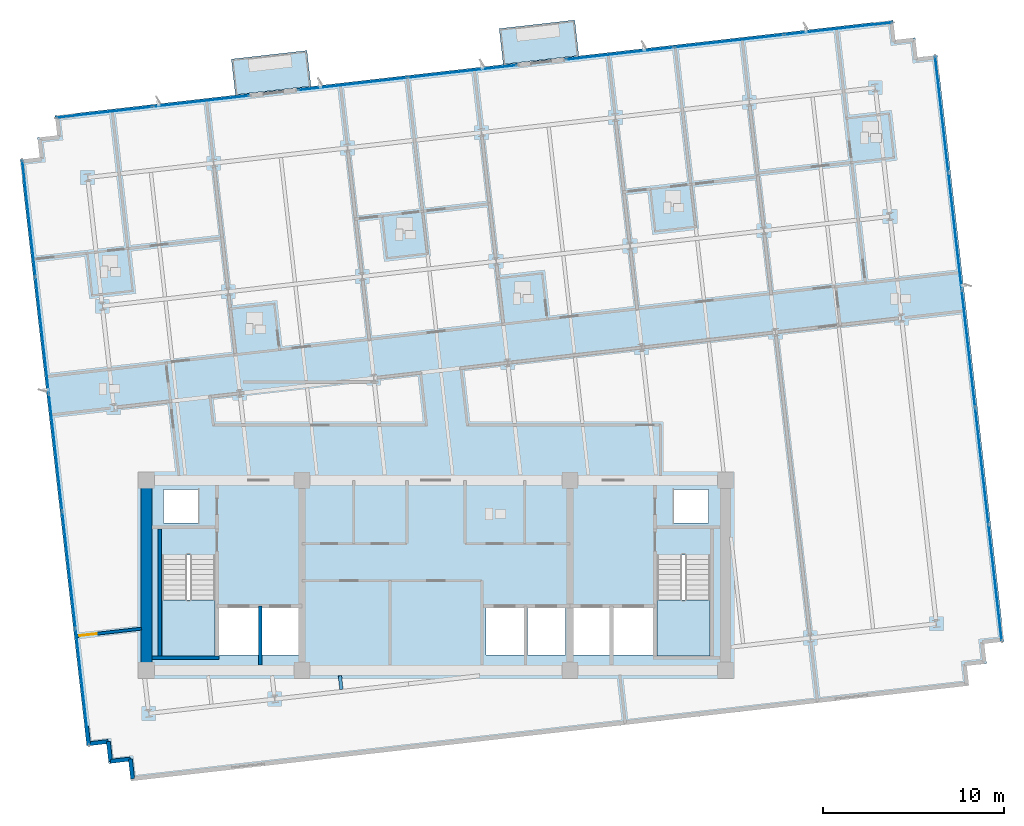
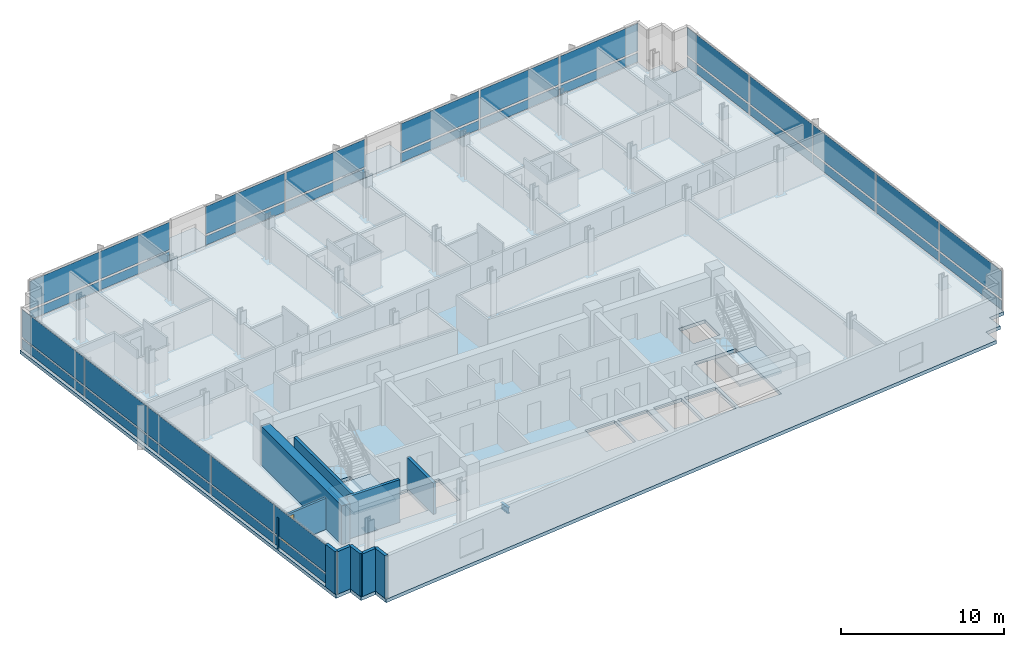
# One storey, part 7 of 17: 34 plates, 10 walls, 5 slabs, 1 beam, 1 door, 1 opening, 7 elements without a shape of their own.
"""IFC4 building model written with IfcOpenShell, lengths in metres."""

from ifc_helpers import new_model, si_unit, direction, frame, frame_2d, origin, origin_2d, place, context, subcontext, project, spatial, polyline, rectangle, i_section, outline, extrude, material, layer, layer_set, material_profile, profile_set, type_object, element, fill, aggregate, save


model = new_model("IFC4")

# Units and contexts
model_context = context("Model", 3, precision=1e-05, world=origin(), true_north=direction((0.0, 1.0)))
body_context = subcontext(model_context, "Body", "Model", "MODEL_VIEW")
ifc_project = project(units=[si_unit("LENGTHUNIT", "METRE"), si_unit("AREAUNIT", "SQUARE_METRE"), si_unit("VOLUMEUNIT", "CUBIC_METRE"), si_unit("PLANEANGLEUNIT", "RADIAN"), si_unit("MASSUNIT", "GRAM", prefix="KILO")], contexts=[model_context])

# Site, building, storey
site_placement = place(None, origin())
site = spatial("IfcSite", under=ifc_project, at=site_placement, CompositionType="ELEMENT")
building_placement = place(site_placement, origin())
building = spatial("IfcBuilding", under=site, at=building_placement, Name="Solmavex Isthmus Hotel", CompositionType="ELEMENT")
storey_placement = place(building_placement, frame((0.0, 0.0, 195.14990234375)))
storey = spatial("IfcBuildingStorey", under=building, at=storey_placement, Name="L52", CompositionType="ELEMENT", Elevation=195.14990234375)

# Beam
ifc_material_1 = material(Name="Steel ASTM A992 Grade 50", Category="steel")
ifc_material_profile = material_profile(ifc_material_1, i_section(OverallWidth=0.1904296875, OverallDepth=0.456787109375, WebThickness=0.009033203125, FlangeThickness=0.014404296875, FilletRadius=0.0126953125, at=origin_2d()), Name="W18X50")
ifc_profile_set = profile_set([ifc_material_profile], Name="Steel ASTM A992 Grade 50")
beam_type = type_object("IfcBeamType", Name="BM-BJ-W18X50", PredefinedType="JOIST", material=ifc_profile_set)
beam_placement = place(storey_placement, frame((-5.2236328125, -14.05419921875, -0.48828125), z_axis=(-0.112902470797, 0.993606074905, 0.0), x_axis=(-0.993606074905, -0.112902470797, 0.0)))
element("IfcBeam", 1, at=beam_placement, inside=storey, type_object=beam_type, Name="Secondary Floor Joist L52-J05", PredefinedType="JOIST", context=body_context, shape_type="SweptSolid", body=[
    extrude(i_section(OverallWidth=0.1904296875, OverallDepth=0.456787109375, WebThickness=0.009033203125, FlangeThickness=0.014404296875, FilletRadius=0.0126953125, at=origin_2d()), origin(), (0.0, 0.0, 1.0), 0.759033203125),
])

# Curtain wall, plates
ifc_material_2 = material(Name="Aluminium alloy 6063-T6", Category="aluminium")
curtain_wall_type = type_object("IfcCurtainWallType", Name="CW-SYS-04", PredefinedType="NOTDEFINED", material=ifc_material_2)
curtain_wall_1_placement = place(storey_placement, origin())
curtain_wall_1 = element("IfcCurtainWall", 2, at=curtain_wall_1_placement, inside=storey, type_object=curtain_wall_type, Name="Stick Curtain Wall CWL-L52-N1", PredefinedType="NOTDEFINED")
ifc_material_3 = material(Name="Clear low-E laminated glass", Category="glass")
ifc_layer_1 = layer(ifc_material_3, 0.033935546875)
ifc_layer_set_1 = layer_set([ifc_layer_1], Name="Clear low-E laminated glass")
plate_type = type_object("IfcPlateType", Name="CW-SYS-04-PNL", PredefinedType="CURTAIN_PANEL", material=ifc_layer_set_1)
plate_1_placement = place(storey_placement, frame((-18.322021484375, 17.832763671875, 0.14990234375), z_axis=(0.0, 0.0, 1.0), x_axis=(0.993571901125, 0.113202814871, 0.0)))
plate_1 = element("IfcPlate", 3, at=plate_1_placement, type_object=plate_type, Name="CW-04 panel 1.1", PredefinedType="CURTAIN_PANEL", context=body_context, shape_type="SweptSolid", body=[
    extrude(rectangle(XDim=5.302978515625, YDim=0.033935546875, at=origin_2d()), origin(), (0.0, 0.0, 1.0), 0.675048828125),
])
plate_2_placement = place(storey_placement, frame((-18.322021484375, 17.832763671875, 0.97509765625), z_axis=(0.0, 0.0, 1.0), x_axis=(0.993571901125, 0.113202814871, 0.0)))
plate_2 = element("IfcPlate", 4, at=plate_2_placement, type_object=plate_type, Name="CW-04 panel 1.2", PredefinedType="CURTAIN_PANEL", context=body_context, shape_type="SweptSolid", body=[
    extrude(rectangle(XDim=5.302978515625, YDim=0.033935546875, at=origin_2d()), origin(), (0.0, 0.0, 1.0), 2.06494140625),
])
plate_3_placement = place(storey_placement, frame((-12.978515625, 18.441650390625, 0.14990234375), z_axis=(0.0, 0.0, 1.0), x_axis=(0.993571901125, 0.113202814871, 0.0)))
plate_3 = element("IfcPlate", 5, at=plate_3_placement, type_object=plate_type, Name="CW-04 panel 2.1", PredefinedType="CURTAIN_PANEL", context=body_context, shape_type="SweptSolid", body=[
    extrude(rectangle(XDim=5.302978515625, YDim=0.033935546875, at=origin_2d()), origin(), (0.0, 0.0, 1.0), 0.675048828125),
])
plate_4_placement = place(storey_placement, frame((-12.978515625, 18.441650390625, 0.97509765625), z_axis=(0.0, 0.0, 1.0), x_axis=(0.993571901125, 0.113202814871, 0.0)))
plate_4 = element("IfcPlate", 6, at=plate_4_placement, type_object=plate_type, Name="CW-04 panel 2.2", PredefinedType="CURTAIN_PANEL", context=body_context, shape_type="SweptSolid", body=[
    extrude(rectangle(XDim=5.302978515625, YDim=0.033935546875, at=origin_2d()), origin(), (0.0, 0.0, 1.0), 2.06494140625),
])
aggregate(curtain_wall_1, [plate_1, plate_2, plate_3, plate_4])

curtain_wall_2_placement = place(storey_placement, origin())
curtain_wall_2 = element("IfcCurtainWall", 7, at=curtain_wall_2_placement, inside=storey, type_object=curtain_wall_type, Name="Stick Curtain Wall CWL-L52-N2", PredefinedType="NOTDEFINED")
plate_5_placement = place(storey_placement, frame((-4.6142578125, 19.39453125, 0.14990234375), z_axis=(0.0, 0.0, 1.0), x_axis=(0.993571896348, 0.113202856801, 0.0)))
plate_5 = element("IfcPlate", 8, at=plate_5_placement, type_object=plate_type, Name="CW-04 panel 1.1", PredefinedType="CURTAIN_PANEL", context=body_context, shape_type="SweptSolid", body=[
    extrude(rectangle(XDim=6.033447265625, YDim=0.033935546875, at=origin_2d()), origin(), (0.0, 0.0, 1.0), 0.675048828125),
])
plate_6_placement = place(storey_placement, frame((-4.6142578125, 19.39453125, 0.97509765625), z_axis=(0.0, 0.0, 1.0), x_axis=(0.993571896348, 0.113202856801, 0.0)))
plate_6 = element("IfcPlate", 9, at=plate_6_placement, type_object=plate_type, Name="CW-04 panel 1.2", PredefinedType="CURTAIN_PANEL", context=body_context, shape_type="SweptSolid", body=[
    extrude(rectangle(XDim=6.033447265625, YDim=0.033935546875, at=origin_2d()), origin(), (0.0, 0.0, 1.0), 2.06494140625),
])
plate_7_placement = place(storey_placement, frame((1.454833984375, 20.086181640625, 0.14990234375), z_axis=(0.0, 0.0, 1.0), x_axis=(0.993571896348, 0.113202856801, 0.0)))
plate_7 = element("IfcPlate", 10, at=plate_7_placement, type_object=plate_type, Name="CW-04 panel 2.1", PredefinedType="CURTAIN_PANEL", context=body_context, shape_type="SweptSolid", body=[
    extrude(rectangle(XDim=6.033447265625, YDim=0.033935546875, at=origin_2d()), origin(), (0.0, 0.0, 1.0), 0.675048828125),
])
plate_8_placement = place(storey_placement, frame((1.454833984375, 20.086181640625, 0.97509765625), z_axis=(0.0, 0.0, 1.0), x_axis=(0.993571896348, 0.113202856801, 0.0)))
plate_8 = element("IfcPlate", 11, at=plate_8_placement, type_object=plate_type, Name="CW-04 panel 2.2", PredefinedType="CURTAIN_PANEL", context=body_context, shape_type="SweptSolid", body=[
    extrude(rectangle(XDim=6.033447265625, YDim=0.033935546875, at=origin_2d()), origin(), (0.0, 0.0, 1.0), 2.06494140625),
])
aggregate(curtain_wall_2, [plate_5, plate_6, plate_7, plate_8])

curtain_wall_3_placement = place(storey_placement, origin())
curtain_wall_3 = element("IfcCurtainWall", 12, at=curtain_wall_3_placement, inside=storey, type_object=curtain_wall_type, Name="Stick Curtain Wall CWL-L52-N3", PredefinedType="NOTDEFINED")
plate_9_placement = place(storey_placement, frame((10.1552734375, 21.077392578125, 0.14990234375), z_axis=(0.0, 0.0, 1.0), x_axis=(0.99357182379, 0.113203493636, 0.0)))
plate_9 = element("IfcPlate", 13, at=plate_9_placement, type_object=plate_type, Name="CW-04 panel 1.1", PredefinedType="CURTAIN_PANEL", context=body_context, shape_type="SweptSolid", body=[
    extrude(rectangle(XDim=5.979736328125, YDim=0.033935546875, at=origin_2d()), origin(), (0.0, 0.0, 1.0), 0.675048828125),
])
plate_10_placement = place(storey_placement, frame((10.1552734375, 21.077392578125, 0.97509765625), z_axis=(0.0, 0.0, 1.0), x_axis=(0.99357182379, 0.113203493636, 0.0)))
plate_10 = element("IfcPlate", 14, at=plate_10_placement, type_object=plate_type, Name="CW-04 panel 1.2", PredefinedType="CURTAIN_PANEL", context=body_context, shape_type="SweptSolid", body=[
    extrude(rectangle(XDim=5.979736328125, YDim=0.033935546875, at=origin_2d()), origin(), (0.0, 0.0, 1.0), 2.06494140625),
])
plate_11_placement = place(storey_placement, frame((16.189697265625, 21.764892578125, 0.14990234375), z_axis=(0.0, 0.0, 1.0), x_axis=(0.99357182379, 0.113203493636, 0.0)))
plate_11 = element("IfcPlate", 15, at=plate_11_placement, type_object=plate_type, Name="CW-04 panel 2.1", PredefinedType="CURTAIN_PANEL", context=body_context, shape_type="SweptSolid", body=[
    extrude(rectangle(XDim=6.017333984375, YDim=0.033935546875, at=origin_2d()), origin(), (0.0, 0.0, 1.0), 0.675048828125),
])
plate_12_placement = place(storey_placement, frame((16.189697265625, 21.764892578125, 0.97509765625), z_axis=(0.0, 0.0, 1.0), x_axis=(0.99357182379, 0.113203493636, 0.0)))
plate_12 = element("IfcPlate", 16, at=plate_12_placement, type_object=plate_type, Name="CW-04 panel 2.2", PredefinedType="CURTAIN_PANEL", context=body_context, shape_type="SweptSolid", body=[
    extrude(rectangle(XDim=6.017333984375, YDim=0.033935546875, at=origin_2d()), origin(), (0.0, 0.0, 1.0), 2.06494140625),
])
plate_13_placement = place(storey_placement, frame((22.224365234375, 22.45263671875, 0.14990234375), z_axis=(0.0, 0.0, 1.0), x_axis=(0.99357182379, 0.113203493636, 0.0)))
plate_13 = element("IfcPlate", 17, at=plate_13_placement, type_object=plate_type, Name="CW-04 panel 3.1", PredefinedType="CURTAIN_PANEL", context=body_context, shape_type="SweptSolid", body=[
    extrude(rectangle(XDim=5.979736328125, YDim=0.033935546875, at=origin_2d()), origin(), (0.0, 0.0, 1.0), 0.675048828125),
])
plate_14_placement = place(storey_placement, frame((22.224365234375, 22.45263671875, 0.97509765625), z_axis=(0.0, 0.0, 1.0), x_axis=(0.99357182379, 0.113203493636, 0.0)))
plate_14 = element("IfcPlate", 18, at=plate_14_placement, type_object=plate_type, Name="CW-04 panel 3.2", PredefinedType="CURTAIN_PANEL", context=body_context, shape_type="SweptSolid", body=[
    extrude(rectangle(XDim=5.979736328125, YDim=0.033935546875, at=origin_2d()), origin(), (0.0, 0.0, 1.0), 2.06494140625),
])
aggregate(curtain_wall_3, [plate_9, plate_10, plate_11, plate_12, plate_13, plate_14])

curtain_wall_4_placement = place(storey_placement, origin())
curtain_wall_4 = element("IfcCurtainWall", 19, at=curtain_wall_4_placement, inside=storey, type_object=curtain_wall_type, Name="Stick Curtain Wall CWL-L52-W1", PredefinedType="NOTDEFINED")
plate_15_placement = place(storey_placement, frame((-19.542724609375, -13.91064453125, 0.14990234375), z_axis=(0.0, 0.0, 1.0), x_axis=(-0.11320338078, 0.993571836648, 0.0)))
plate_15 = element("IfcPlate", 20, at=plate_15_placement, type_object=plate_type, Name="CW-04 panel 1.1", PredefinedType="CURTAIN_PANEL", context=body_context, shape_type="SweptSolid", body=[
    extrude(rectangle(XDim=6.407470703125, YDim=0.033935546875, at=origin_2d()), origin(), (0.0, 0.0, 1.0), 0.675048828125),
])
plate_16_placement = place(storey_placement, frame((-19.542724609375, -13.91064453125, 0.97509765625), z_axis=(0.0, 0.0, 1.0), x_axis=(-0.11320338078, 0.993571836648, 0.0)))
plate_16 = element("IfcPlate", 21, at=plate_16_placement, type_object=plate_type, Name="CW-04 panel 1.2", PredefinedType="CURTAIN_PANEL", context=body_context, shape_type="SweptSolid", body=[
    extrude(rectangle(XDim=6.407470703125, YDim=0.033935546875, at=origin_2d()), origin(), (0.0, 0.0, 1.0), 2.06494140625),
])
plate_17_placement = place(storey_placement, frame((-20.27880859375, -7.451171875, 0.14990234375), z_axis=(0.0, 0.0, 1.0), x_axis=(-0.11320338078, 0.993571836648, 0.0)))
plate_17 = element("IfcPlate", 22, at=plate_17_placement, type_object=plate_type, Name="CW-04 panel 2.1", PredefinedType="CURTAIN_PANEL", context=body_context, shape_type="SweptSolid", body=[
    extrude(rectangle(XDim=6.445068359375, YDim=0.033935546875, at=origin_2d()), origin(), (0.0, 0.0, 1.0), 0.675048828125),
])
plate_18_placement = place(storey_placement, frame((-20.27880859375, -7.451171875, 0.97509765625), z_axis=(0.0, 0.0, 1.0), x_axis=(-0.11320338078, 0.993571836648, 0.0)))
plate_18 = element("IfcPlate", 23, at=plate_18_placement, type_object=plate_type, Name="CW-04 panel 2.2", PredefinedType="CURTAIN_PANEL", context=body_context, shape_type="SweptSolid", body=[
    extrude(rectangle(XDim=6.445068359375, YDim=0.033935546875, at=origin_2d()), origin(), (0.0, 0.0, 1.0), 2.06494140625),
])
plate_19_placement = place(storey_placement, frame((-21.016845703125, -0.97314453125, 0.14990234375), z_axis=(0.0, 0.0, 1.0), x_axis=(-0.11320338078, 0.993571836648, 0.0)))
plate_19 = element("IfcPlate", 24, at=plate_19_placement, type_object=plate_type, Name="CW-04 panel 3.1", PredefinedType="CURTAIN_PANEL", context=body_context, shape_type="SweptSolid", body=[
    extrude(rectangle(XDim=6.445068359375, YDim=0.033935546875, at=origin_2d()), origin(), (0.0, 0.0, 1.0), 0.675048828125),
])
plate_20_placement = place(storey_placement, frame((-21.016845703125, -0.97314453125, 0.97509765625), z_axis=(0.0, 0.0, 1.0), x_axis=(-0.11320338078, 0.993571836648, 0.0)))
plate_20 = element("IfcPlate", 25, at=plate_20_placement, type_object=plate_type, Name="CW-04 panel 3.2", PredefinedType="CURTAIN_PANEL", context=body_context, shape_type="SweptSolid", body=[
    extrude(rectangle(XDim=6.445068359375, YDim=0.033935546875, at=origin_2d()), origin(), (0.0, 0.0, 1.0), 2.06494140625),
])
plate_21_placement = place(storey_placement, frame((-21.7548828125, 5.5048828125, 0.14990234375), z_axis=(0.0, 0.0, 1.0), x_axis=(-0.11320338078, 0.993571836648, 0.0)))
plate_21 = element("IfcPlate", 26, at=plate_21_placement, type_object=plate_type, Name="CW-04 panel 4.1", PredefinedType="CURTAIN_PANEL", context=body_context, shape_type="SweptSolid", body=[
    extrude(rectangle(XDim=6.445068359375, YDim=0.033935546875, at=origin_2d()), origin(), (0.0, 0.0, 1.0), 0.675048828125),
])
plate_22_placement = place(storey_placement, frame((-21.7548828125, 5.5048828125, 0.97509765625), z_axis=(0.0, 0.0, 1.0), x_axis=(-0.11320338078, 0.993571836648, 0.0)))
plate_22 = element("IfcPlate", 27, at=plate_22_placement, type_object=plate_type, Name="CW-04 panel 4.2", PredefinedType="CURTAIN_PANEL", context=body_context, shape_type="SweptSolid", body=[
    extrude(rectangle(XDim=6.445068359375, YDim=0.033935546875, at=origin_2d()), origin(), (0.0, 0.0, 1.0), 2.06494140625),
])
plate_23_placement = place(storey_placement, frame((-22.490966796875, 11.96435546875, 0.14990234375), z_axis=(0.0, 0.0, 1.0), x_axis=(-0.11320338078, 0.993571836648, 0.0)))
plate_23 = element("IfcPlate", 28, at=plate_23_placement, type_object=plate_type, Name="CW-04 panel 5.1", PredefinedType="CURTAIN_PANEL", context=body_context, shape_type="SweptSolid", body=[
    extrude(rectangle(XDim=6.407470703125, YDim=0.033935546875, at=origin_2d()), origin(), (0.0, 0.0, 1.0), 0.675048828125),
])
plate_24_placement = place(storey_placement, frame((-22.490966796875, 11.96435546875, 0.97509765625), z_axis=(0.0, 0.0, 1.0), x_axis=(-0.11320338078, 0.993571836648, 0.0)))
plate_24 = element("IfcPlate", 29, at=plate_24_placement, type_object=plate_type, Name="CW-04 panel 5.2", PredefinedType="CURTAIN_PANEL", context=body_context, shape_type="SweptSolid", body=[
    extrude(rectangle(XDim=6.407470703125, YDim=0.033935546875, at=origin_2d()), origin(), (0.0, 0.0, 1.0), 2.06494140625),
])
aggregate(curtain_wall_4, [plate_15, plate_16, plate_17, plate_18, plate_19, plate_20, plate_21, plate_22, plate_23, plate_24])

curtain_wall_5_placement = place(storey_placement, origin())
curtain_wall_5 = element("IfcCurtainWall", 30, at=curtain_wall_5_placement, inside=storey, type_object=curtain_wall_type, Name="Stick Curtain Wall CWL-L52-E1", PredefinedType="NOTDEFINED")
plate_25_placement = place(storey_placement, frame((30.890869140625, -8.16455078125, 0.14990234375), z_axis=(0.0, 0.0, 1.0), x_axis=(-0.11320338078, 0.993571836648, 0.0)))
plate_25 = element("IfcPlate", 31, at=plate_25_placement, type_object=plate_type, Name="CW-04 panel 1.1", PredefinedType="CURTAIN_PANEL", context=body_context, shape_type="SweptSolid", body=[
    extrude(rectangle(XDim=6.407470703125, YDim=0.033935546875, at=origin_2d()), origin(), (0.0, 0.0, 1.0), 0.675048828125),
])
plate_26_placement = place(storey_placement, frame((30.890869140625, -8.16455078125, 0.97509765625), z_axis=(0.0, 0.0, 1.0), x_axis=(-0.11320338078, 0.993571836648, 0.0)))
plate_26 = element("IfcPlate", 32, at=plate_26_placement, type_object=plate_type, Name="CW-04 panel 1.2", PredefinedType="CURTAIN_PANEL", context=body_context, shape_type="SweptSolid", body=[
    extrude(rectangle(XDim=6.407470703125, YDim=0.033935546875, at=origin_2d()), origin(), (0.0, 0.0, 1.0), 2.06494140625),
])
plate_27_placement = place(storey_placement, frame((30.155029296875, -1.705078125, 0.14990234375), z_axis=(0.0, 0.0, 1.0), x_axis=(-0.11320338078, 0.993571836648, 0.0)))
plate_27 = element("IfcPlate", 33, at=plate_27_placement, type_object=plate_type, Name="CW-04 panel 2.1", PredefinedType="CURTAIN_PANEL", context=body_context, shape_type="SweptSolid", body=[
    extrude(rectangle(XDim=6.445068359375, YDim=0.033935546875, at=origin_2d()), origin(), (0.0, 0.0, 1.0), 0.675048828125),
])
plate_28_placement = place(storey_placement, frame((30.155029296875, -1.705078125, 0.97509765625), z_axis=(0.0, 0.0, 1.0), x_axis=(-0.11320338078, 0.993571836648, 0.0)))
plate_28 = element("IfcPlate", 34, at=plate_28_placement, type_object=plate_type, Name="CW-04 panel 2.2", PredefinedType="CURTAIN_PANEL", context=body_context, shape_type="SweptSolid", body=[
    extrude(rectangle(XDim=6.445068359375, YDim=0.033935546875, at=origin_2d()), origin(), (0.0, 0.0, 1.0), 2.06494140625),
])
plate_29_placement = place(storey_placement, frame((29.416748046875, 4.773193359375, 0.14990234375), z_axis=(0.0, 0.0, 1.0), x_axis=(-0.11320338078, 0.993571836648, 0.0)))
plate_29 = element("IfcPlate", 35, at=plate_29_placement, type_object=plate_type, Name="CW-04 panel 3.1", PredefinedType="CURTAIN_PANEL", context=body_context, shape_type="SweptSolid", body=[
    extrude(rectangle(XDim=6.445068359375, YDim=0.033935546875, at=origin_2d()), origin(), (0.0, 0.0, 1.0), 0.675048828125),
])
plate_30_placement = place(storey_placement, frame((29.416748046875, 4.773193359375, 0.97509765625), z_axis=(0.0, 0.0, 1.0), x_axis=(-0.11320338078, 0.993571836648, 0.0)))
plate_30 = element("IfcPlate", 36, at=plate_30_placement, type_object=plate_type, Name="CW-04 panel 3.2", PredefinedType="CURTAIN_PANEL", context=body_context, shape_type="SweptSolid", body=[
    extrude(rectangle(XDim=6.445068359375, YDim=0.033935546875, at=origin_2d()), origin(), (0.0, 0.0, 1.0), 2.06494140625),
])
plate_31_placement = place(storey_placement, frame((28.6787109375, 11.251220703125, 0.14990234375), z_axis=(0.0, 0.0, 1.0), x_axis=(-0.11320338078, 0.993571836648, 0.0)))
plate_31 = element("IfcPlate", 37, at=plate_31_placement, type_object=plate_type, Name="CW-04 panel 4.1", PredefinedType="CURTAIN_PANEL", context=body_context, shape_type="SweptSolid", body=[
    extrude(rectangle(XDim=6.445068359375, YDim=0.033935546875, at=origin_2d()), origin(), (0.0, 0.0, 1.0), 0.675048828125),
])
plate_32_placement = place(storey_placement, frame((28.6787109375, 11.251220703125, 0.97509765625), z_axis=(0.0, 0.0, 1.0), x_axis=(-0.11320338078, 0.993571836648, 0.0)))
plate_32 = element("IfcPlate", 38, at=plate_32_placement, type_object=plate_type, Name="CW-04 panel 4.2", PredefinedType="CURTAIN_PANEL", context=body_context, shape_type="SweptSolid", body=[
    extrude(rectangle(XDim=6.445068359375, YDim=0.033935546875, at=origin_2d()), origin(), (0.0, 0.0, 1.0), 2.06494140625),
])
plate_33_placement = place(storey_placement, frame((27.94287109375, 17.710693359375, 0.14990234375), z_axis=(0.0, 0.0, 1.0), x_axis=(-0.11320338078, 0.993571836648, 0.0)))
plate_33 = element("IfcPlate", 39, at=plate_33_placement, type_object=plate_type, Name="CW-04 panel 5.1", PredefinedType="CURTAIN_PANEL", context=body_context, shape_type="SweptSolid", body=[
    extrude(rectangle(XDim=6.407470703125, YDim=0.033935546875, at=origin_2d()), origin(), (0.0, 0.0, 1.0), 0.675048828125),
])
plate_34_placement = place(storey_placement, frame((27.94287109375, 17.710693359375, 0.97509765625), z_axis=(0.0, 0.0, 1.0), x_axis=(-0.11320338078, 0.993571836648, 0.0)))
plate_34 = element("IfcPlate", 40, at=plate_34_placement, type_object=plate_type, Name="CW-04 panel 5.2", PredefinedType="CURTAIN_PANEL", context=body_context, shape_type="SweptSolid", body=[
    extrude(rectangle(XDim=6.407470703125, YDim=0.033935546875, at=origin_2d()), origin(), (0.0, 0.0, 1.0), 2.06494140625),
])
aggregate(curtain_wall_5, [plate_25, plate_26, plate_27, plate_28, plate_29, plate_30, plate_31, plate_32, plate_33, plate_34])

# Slabs
ifc_material_4 = material(Name="Concrete C40/50", Category="concrete")
ifc_layer_2 = layer(ifc_material_4, 0.239990234375)
ifc_layer_set_2 = layer_set([ifc_layer_2], Name="Concrete C40/50")
slab_type_1 = type_object("IfcSlabType", Name="SLAB-BALC-240", PredefinedType="FLOOR", material=ifc_layer_set_2)
slab_1_placement = place(storey_placement, frame((0.0, 0.0, -0.239990234375)))
element("IfcSlab", 41, at=slab_1_placement, inside=storey, type_object=slab_type_1, Name="Tree-Planter Balcony Slab L52-B1", PredefinedType="FLOOR", context=body_context, shape_type="SweptSolid", body=[
    extrude(outline(polyline([(-11.07958984375, 18.7939453125), (-6.90673828125, 19.269287109375), (-7.13134765625, 21.24169921875), (-11.304443359375, 20.76611328125), (-11.07958984375, 18.7939453125)])), origin(), (0.0, 0.0, 1.0), 0.239990234375),
])
slab_2_placement = place(storey_placement, frame((0.0, 0.0, -0.239990234375)))
element("IfcSlab", 42, at=slab_2_placement, inside=storey, type_object=slab_type_1, Name="Tree-Planter Balcony Slab L52-B2", PredefinedType="FLOOR", context=body_context, shape_type="SweptSolid", body=[
    extrude(outline(polyline([(3.716552734375, 20.479736328125), (7.8896484375, 20.955078125), (7.664794921875, 22.927490234375), (3.491943359375, 22.451904296875), (3.716552734375, 20.479736328125)])), origin(), (0.0, 0.0, 1.0), 0.239990234375),
])
ifc_layer_3 = layer(ifc_material_4, 0.260009765625)
ifc_layer_set_3 = layer_set([ifc_layer_3], Name="Concrete C40/50")
slab_type_2 = type_object("IfcSlabType", Name="SLAB-TYP-260", PredefinedType="FLOOR", material=ifc_layer_set_3)
slab_3_placement = place(storey_placement, frame((0.0, 0.0, -0.260009765625)))
element("IfcSlab", 43, at=slab_3_placement, inside=storey, type_object=slab_type_2, Name="Tower Structural Floor Slab L52", PredefinedType="FLOOR", context=body_context, shape_type="SweptSolid", body=[
    extrude(outline(polyline([(-15.762939453125, -18.994140625), (28.3515625, -13.968017578125), (29.444580078125, -13.843505859375), (29.320068359375, -12.75048828125), (30.412841796875, -12.6259765625), (30.288330078125, -11.532958984375), (31.38134765625, -11.408447265625), (31.2568359375, -10.315673828125), (27.8154296875, 19.888916015625), (27.69091796875, 20.98193359375), (26.597900390625, 20.857421875), (26.473388671875, 21.9501953125), (25.38037109375, 21.82568359375), (25.255859375, 22.918701171875), (24.1630859375, 22.794189453125), (-19.95166015625, 17.76806640625), (-21.04443359375, 17.6435546875), (-20.919921875, 16.550537109375), (-22.012939453125, 16.426025390625), (-21.888427734375, 15.3330078125), (-22.981201171875, 15.20849609375), (-22.856689453125, 14.11572265625), (-19.415283203125, -16.0888671875), (-19.290771484375, -17.181884765625), (-18.197998046875, -17.057373046875), (-18.073486328125, -18.150390625), (-16.98046875, -18.02587890625), (-16.85595703125, -19.11865234375), (-15.762939453125, -18.994140625)]), holes=[polyline([(-15.14990234375, -6.617919921875), (-15.14990234375, -12.199951171875), (-12.199951171875, -12.199951171875), (-12.199951171875, -6.617919921875), (-15.14990234375, -6.617919921875)]), polyline([(12.199951171875, -6.617919921875), (12.199951171875, -12.199951171875), (15.14990234375, -12.199951171875), (15.14990234375, -6.617919921875), (12.199951171875, -6.617919921875)]), polyline([(-12.0, -12.14990234375), (-9.800048828125, -12.14990234375), (-9.800048828125, -9.550048828125), (-12.0, -9.550048828125), (-12.0, -12.14990234375)]), polyline([(9.800048828125, -12.14990234375), (12.0, -12.14990234375), (12.0, -9.550048828125), (9.800048828125, -9.550048828125), (9.800048828125, -12.14990234375)]), polyline([(-9.60009765625, -12.14990234375), (-7.60009765625, -12.14990234375), (-7.60009765625, -9.550048828125), (-9.60009765625, -9.550048828125), (-9.60009765625, -12.14990234375)]), polyline([(7.60009765625, -12.14990234375), (9.60009765625, -12.14990234375), (9.60009765625, -9.550048828125), (7.60009765625, -9.550048828125), (7.60009765625, -12.14990234375)]), polyline([(2.75, -12.14990234375), (4.85009765625, -12.14990234375), (4.85009765625, -9.550048828125), (2.75, -9.550048828125), (2.75, -12.14990234375)]), polyline([(5.050048828125, -12.14990234375), (7.14990234375, -12.14990234375), (7.14990234375, -9.550048828125), (5.050048828125, -9.550048828125), (5.050048828125, -12.14990234375)]), polyline([(-15.050048828125, -4.85009765625), (-13.14990234375, -4.85009765625), (-13.14990234375, -3.0), (-15.050048828125, -3.0), (-15.050048828125, -4.85009765625)]), polyline([(13.14990234375, -4.85009765625), (15.050048828125, -4.85009765625), (15.050048828125, -3.0), (13.14990234375, -3.0), (13.14990234375, -4.85009765625)])]), origin(), (0.0, 0.0, 1.0), 0.260009765625),
])

# Stair, slab
stair_type_1 = type_object("IfcStairType", Name="STR-ST-1", PredefinedType="HALF_TURN_STAIR", material=ifc_material_4)
stair_1_placement = place(storey_placement, origin())
stair_1 = element("IfcStair", 44, at=stair_1_placement, inside=storey, type_object=stair_type_1, Name="L52 Protected Exit Stair ST-1", PredefinedType="HALF_TURN_STAIR")
ifc_layer_4 = layer(ifc_material_4, 0.219970703125)
ifc_layer_set_4 = layer_set([ifc_layer_4], Name="Concrete C40/50")
slab_type_3 = type_object("IfcSlabType", Name="SLD-ST-1", PredefinedType="LANDING", material=ifc_layer_set_4)
slab_4_placement = place(storey_placement, frame((0.0, 0.0, 1.525146484375)))
slab_4 = element("IfcSlab", 45, at=slab_4_placement, type_object=slab_type_3, Name="ST-1 landing 1", PredefinedType="LANDING", context=body_context, shape_type="SweptSolid", body=[
    extrude(outline(polyline([(-15.14990234375, -9.1201171875), (-15.14990234375, -12.199951171875), (-12.199951171875, -12.199951171875), (-12.199951171875, -9.1201171875), (-15.14990234375, -9.1201171875)])), origin(), (0.0, 0.0, 1.0), 0.199951171875),
])
aggregate(stair_1, [slab_4])

stair_type_2 = type_object("IfcStairType", Name="STR-ST-2", PredefinedType="HALF_TURN_STAIR", material=ifc_material_4)
stair_2_placement = place(storey_placement, origin())
stair_2 = element("IfcStair", 46, at=stair_2_placement, inside=storey, type_object=stair_type_2, Name="L52 Protected Exit Stair ST-2", PredefinedType="HALF_TURN_STAIR")
ifc_layer_5 = layer(ifc_material_4, 0.219970703125)
ifc_layer_set_5 = layer_set([ifc_layer_5], Name="Concrete C40/50")
slab_type_4 = type_object("IfcSlabType", Name="SLD-ST-2", PredefinedType="LANDING", material=ifc_layer_set_5)
slab_5_placement = place(storey_placement, frame((0.0, 0.0, 1.525146484375)))
slab_5 = element("IfcSlab", 47, at=slab_5_placement, type_object=slab_type_4, Name="ST-2 landing 1", PredefinedType="LANDING", context=body_context, shape_type="SweptSolid", body=[
    extrude(outline(polyline([(12.199951171875, -9.1201171875), (12.199951171875, -12.199951171875), (15.14990234375, -12.199951171875), (15.14990234375, -9.1201171875), (12.199951171875, -9.1201171875)])), origin(), (0.0, 0.0, 1.0), 0.199951171875),
])
aggregate(stair_2, [slab_5])

# Walls
ifc_material_5 = material(Name="Precast Concrete C40/50", Category="concrete")
ifc_layer_6 = layer(ifc_material_5, 0.25)
ifc_layer_set_6 = layer_set([ifc_layer_6], Name="Precast Concrete C40/50")
wall_type_1 = type_object("IfcWallType", Name="EW-TWR-250", PredefinedType="STANDARD", material=ifc_layer_set_6)
for number, where, z_axis, x_axis, name in (
    (48, (-16.759033203125, -18.9970703125, 0.0), (0.0, 0.0, 1.0), (-0.113183557839, 0.99357409499, 0.0), "Serrated Corner Facade Panel L52-01"),
    (49, (-16.883544921875, -17.904052734375, 0.0), (0.0, 0.0, 1.0), (-0.99357409499, -0.113183557839, 0.0), "Serrated Corner Facade Panel L52-02"),
    (50, (-17.9765625, -18.028564453125, 0.0), (0.0, 0.0, 1.0), (-0.113183557839, 0.99357409499, 0.0), "Serrated Corner Facade Panel L52-03"),
    (51, (-18.10107421875, -16.935546875, 0.0), (0.0, 0.0, 1.0), (-0.99357409499, -0.113183557839, 0.0), "Serrated Corner Facade Panel L52-04"),
):
    element("IfcWall", number, at=place(storey_placement, frame(where, z_axis=z_axis, x_axis=x_axis)), inside=storey, type_object=wall_type_1, Name=name, PredefinedType="STANDARD", context=body_context, shape_type="SweptSolid", body=[
        extrude(rectangle(XDim=1.10009765625, YDim=0.219970703125, at=frame_2d((0.550048828125, 0.0))), origin(), (0.0, 0.0, 1.0), 3.190185546875),
    ])
wall_1_placement = place(storey_placement, frame((-19.194091796875, -17.06005859375, 0.0), z_axis=(0.0, 0.0, 1.0), x_axis=(-0.113191877531, 0.993573147212, 0.0)))
element("IfcWall", 52, at=wall_1_placement, inside=storey, type_object=wall_type_1, Name="Serrated Corner Facade Panel L52-05", PredefinedType="STANDARD", context=body_context, shape_type="SweptSolid", body=[
    extrude(rectangle(XDim=0.989990234375, YDim=0.219970703125, at=frame_2d((0.4951171875, 0.0))), origin(), (0.0, 0.0, 1.0), 3.190185546875),
])

# Wall, opening, door
ifc_material_6 = material(Name="Gypsum plasterboard lining", Category="gypsum")
ifc_layer_7 = layer(ifc_material_6, 0.159912109375)
ifc_layer_set_7 = layer_set([ifc_layer_7], Name="Gypsum plasterboard lining")
wall_type_2 = type_object("IfcWallType", Name="IW-COMP-160", PredefinedType="PARTITIONING", material=ifc_layer_set_7)
wall_2_placement = place(storey_placement, frame((-16.26025390625, -10.697021484375, 0.0), z_axis=(0.0, 0.0, 1.0), x_axis=(-0.993567835793, -0.113238490269, 0.0)))
wall_2 = element("IfcWall", 53, at=wall_2_placement, inside=storey, type_object=wall_type_2, Name="Interior Partition Wall W-L52-P084", PredefinedType="PARTITIONING", context=body_context, shape_type="SweptSolid", body=[
    extrude(rectangle(XDim=3.665283203125, YDim=0.159912109375, at=frame_2d((1.83251953125, 0.0))), origin(), (0.0, 0.0, 1.0), 2.3251953125),
])
opening_placement = place(wall_2_placement, frame((2.505126953125, 0.0, 0.0)))
opening = element("IfcOpeningElement", 54, at=opening_placement, cuts=wall_2, Name="Opening ID-C095", PredefinedType="OPENING", context=body_context, shape_type="SweptSolid", body=[
    extrude(rectangle(XDim=0.949951171875, YDim=2.14990234375, at=frame_2d((0.47509765625, 1.074951171875))), frame((0.0, 0.08984375, 0.0), z_axis=(0.0, -1.0, 0.0), x_axis=(1.0, 0.0, 0.0)), (0.0, 0.0, 1.0), 0.179931640625),
])
ifc_material_7 = material(Name="Hardwood timber", Category="wood")
door_type = type_object("IfcDoorType", Name="IDR-FD60-0950", OperationType="NOTDEFINED", PredefinedType="DOOR", material=ifc_material_7)
door_placement = place(opening_placement, frame((0.949951171875, 0.0, 0.0), z_axis=(0.0, 0.0, 1.0), x_axis=(-1.0, 0.0, 0.0)))
door = element("IfcDoor", 55, at=door_placement, inside=storey, type_object=door_type, Name="Corporate Briefing Office Door L52-25", OperationType="SINGLE_SWING_LEFT", OverallHeight=2.14990234375, OverallWidth=0.949951171875, PredefinedType="DOOR", context=body_context, shape_type="SweptSolid", body=[
    extrude(rectangle(XDim=0.949951171875, YDim=2.14990234375, at=frame_2d((0.47509765625, 1.074951171875))), frame((0.0, 0.02490234375, 0.0), z_axis=(0.0, -1.0, 0.0), x_axis=(1.0, 0.0, 0.0)), (0.0, 0.0, 1.0), 0.050048828125),
])
fill(opening, door)

# Walls
ifc_layer_8 = layer(ifc_material_4, 0.199951171875)
ifc_layer_set_8 = layer_set([ifc_layer_8], Name="Concrete C40/50")
wall_type_3 = type_object("IfcWallType", Name="IW-SHAFT-200", PredefinedType="PARTITIONING", material=ifc_layer_set_8)
wall_3_placement = place(storey_placement, frame((-9.699951171875, -12.699951171875, 0.0), z_axis=(0.0, 0.0, 1.0), x_axis=(0.0, 1.0, 0.0)))
element("IfcWall", 56, at=wall_3_placement, inside=storey, type_object=wall_type_3, Name="Interior Partition Wall W-L52-FFLW-M", PredefinedType="PARTITIONING", context=body_context, shape_type="SweptSolid", body=[
    extrude(rectangle(XDim=3.25, YDim=0.199951171875, at=frame_2d((1.625, 0.0))), origin(), (0.0, 0.0, 1.0), 2.3251953125),
])
ifc_material_8 = material(Name="Concrete C50/60", Category="concrete")
ifc_layer_9 = layer(ifc_material_8, 0.60009765625)
ifc_layer_set_9 = layer_set([ifc_layer_9], Name="Concrete C50/60")
wall_type_4 = type_object("IfcWallType", Name="WALL-CW-600", PredefinedType="SHEAR", material=ifc_layer_set_9)
wall_4_placement = place(storey_placement, frame((-16.0, -12.699951171875, 0.0), z_axis=(0.0, 0.0, 1.0), x_axis=(0.0, 1.0, 0.0)))
element("IfcWall", 57, at=wall_4_placement, inside=storey, type_object=wall_type_4, Name="Core Shear Wall West L52", PredefinedType="SHEAR", context=body_context, shape_type="SweptSolid", body=[
    extrude(rectangle(XDim=9.89990234375, YDim=0.60009765625, at=frame_2d((4.949951171875, 0.0))), origin(), (0.0, 0.0, 1.0), 2.91015625),
])
ifc_layer_10 = layer(ifc_material_4, 0.199951171875)
ifc_layer_set_10 = layer_set([ifc_layer_10], Name="Concrete C40/50")
wall_type_5 = type_object("IfcWallType", Name="WALL-SW-200", PredefinedType="SOLIDWALL", material=ifc_layer_set_10)
wall_5_placement = place(storey_placement, frame((-15.699951171875, -12.300048828125, 0.0), z_axis=(0.0, 0.0, 1.0), x_axis=(1.0, 0.0, 0.0)))
element("IfcWall", 58, at=wall_5_placement, inside=storey, type_object=wall_type_5, Name="Stairwell Structural Wall SW-L52-ST1-S", PredefinedType="SOLIDWALL", context=body_context, shape_type="SweptSolid", body=[
    extrude(rectangle(XDim=3.699951171875, YDim=0.199951171875, at=frame_2d((1.85009765625, 0.0))), origin(), (0.0, 0.0, 1.0), 3.190185546875),
])
wall_6_placement = place(storey_placement, frame((-15.25, -12.199951171875, 0.0), z_axis=(0.0, 0.0, 1.0), x_axis=(0.0, 1.0, 0.0)))
element("IfcWall", 59, at=wall_6_placement, inside=storey, type_object=wall_type_5, Name="Stairwell Structural Wall SW-L52-ST1-W", PredefinedType="SOLIDWALL", context=body_context, shape_type="SweptSolid", body=[
    extrude(rectangle(XDim=7.0, YDim=0.199951171875, at=frame_2d((3.5, 0.0))), origin(), (0.0, 0.0, 1.0), 3.190185546875),
])

save(model, "model.ifc")
